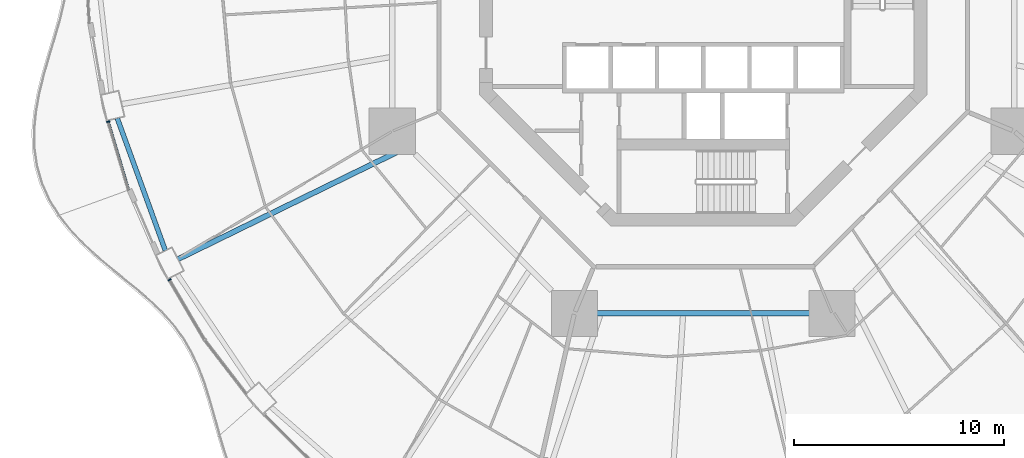
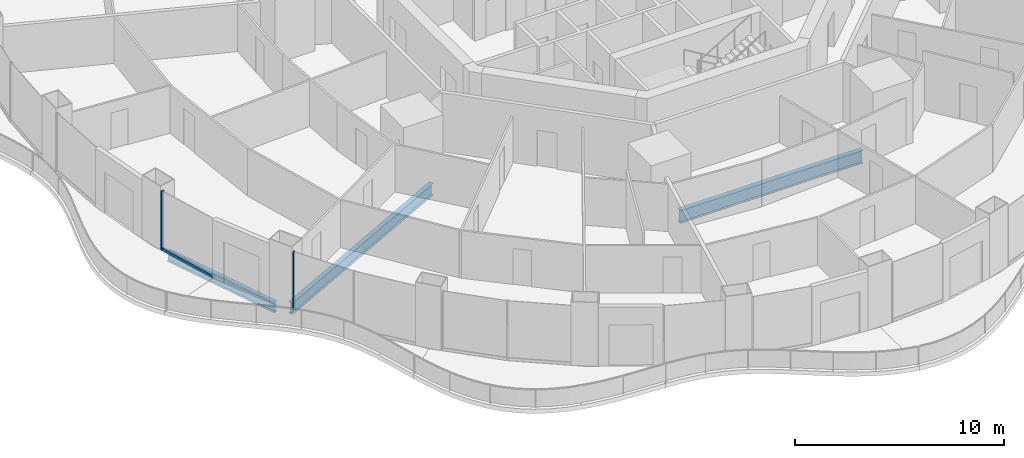
# One storey, part 3 of 24: 3 beams, 3 members, 2 elements without a shape of their own.
"""IFC4 building model written with IfcOpenShell, lengths in metres."""

from ifc_helpers import new_model, si_unit, direction, frame, origin, origin_2d, place, context, subcontext, project, spatial, rectangle, i_section, extrude, material, layer, layer_set, material_profile, profile_set, type_object, element, aggregate, save


model = new_model("IFC4")

# Units and contexts
model_context = context("Model", 3, precision=1e-05, world=origin(), true_north=direction((0.0, 1.0)))
body_context = subcontext(model_context, "Body", "Model", "MODEL_VIEW")
ifc_project = project(units=[si_unit("LENGTHUNIT", "METRE"), si_unit("AREAUNIT", "SQUARE_METRE"), si_unit("VOLUMEUNIT", "CUBIC_METRE"), si_unit("PLANEANGLEUNIT", "RADIAN"), si_unit("MASSUNIT", "GRAM", prefix="KILO")], contexts=[model_context])

# Site, building, storey
site_placement = place(None, origin())
site = spatial("IfcSite", under=ifc_project, at=site_placement, CompositionType="ELEMENT")
building_placement = place(site_placement, origin())
building = spatial("IfcBuilding", under=site, at=building_placement, Name="Nagisa Residences", CompositionType="ELEMENT")
storey_placement = place(building_placement, frame((0.0, 0.0, 102.89990234375)))
storey = spatial("IfcBuildingStorey", under=building, at=storey_placement, Name="L25", CompositionType="ELEMENT", Elevation=102.89990234375)

# Curtain wall, member
ifc_material_1 = material(Name="Concrete-coloured aluminium curtain wall system", Category="concrete")
ifc_layer = layer(ifc_material_1, 0.159912109375)
ifc_layer_set = layer_set([ifc_layer], Name="CW1 CURTAIN WALL")
curtain_wall_type = type_object("IfcCurtainWallType", Name="CW1 CURTAIN WALL", PredefinedType="NOTDEFINED", material=ifc_layer_set)
curtain_wall_1_placement = place(storey_placement, origin())
curtain_wall_1 = element("IfcCurtainWall", 1, at=curtain_wall_1_placement, inside=storey, type_object=curtain_wall_type, Name="cw:CW1:L25:26", PredefinedType="NOTDEFINED")
ifc_material_2 = material(Name="Concrete-coloured aluminium", Category="concrete")
ifc_material_profile_1 = material_profile(ifc_material_2, rectangle(XDim=0.159912109375, YDim=0.06005859375, at=origin_2d()), Name="CW1 MULLION 160x60")
ifc_profile_set_1 = profile_set([ifc_material_profile_1], Name="Concrete-coloured aluminium")
member_type_1 = type_object("IfcMemberType", Name="CW1 MULLION 160x60", PredefinedType="MULLION", material=ifc_profile_set_1)
member_1_placement = place(storey_placement, frame((-28.2802734375, -5.667724609375, 0.0), z_axis=(0.0, 0.0, 1.0), x_axis=(0.958271310082, 0.285860274038, 0.0)))
member_1 = element("IfcMember", 2, at=member_1_placement, type_object=member_type_1, Name="CW1 mullion", PredefinedType="MULLION", context=body_context, shape_type="SweptSolid", body=[
    extrude(rectangle(XDim=0.159912109375, YDim=0.06005859375, at=origin_2d()), origin(), (0.0, 0.0, 1.0), 3.440185546875),
])

curtain_wall_2_placement = place(storey_placement, origin())
curtain_wall_2 = element("IfcCurtainWall", 3, at=curtain_wall_2_placement, inside=storey, type_object=curtain_wall_type, Name="cw:CW1:L25:28", PredefinedType="NOTDEFINED")
member_2_placement = place(storey_placement, frame((-25.371337890625, -13.185791015625, 0.0), z_axis=(0.0, 0.0, 1.0), x_axis=(0.862328898214, 0.506348567002, 0.0)))
member_2 = element("IfcMember", 4, at=member_2_placement, type_object=member_type_1, Name="CW1 mullion", PredefinedType="MULLION", context=body_context, shape_type="SweptSolid", body=[
    extrude(rectangle(XDim=0.159912109375, YDim=0.06005859375, at=origin_2d()), origin(), (0.0, 0.0, 1.0), 3.440185546875),
])
aggregate(curtain_wall_2, [member_2])

# Member
ifc_material_3 = material(Name="Concrete-coloured aluminium", Category="concrete")
ifc_material_profile_2 = material_profile(ifc_material_3, rectangle(XDim=0.1201171875, YDim=0.14990234375, at=origin_2d()), Name="CW1 TRANSOM 120x150")
ifc_profile_set_2 = profile_set([ifc_material_profile_2], Name="Concrete-coloured aluminium")
member_type_2 = type_object("IfcMemberType", Name="CW1 TRANSOM 120x150", PredefinedType="USERDEFINED", material=ifc_profile_set_2)
member_3_placement = place(storey_placement, frame((-28.288818359375, -5.638916015625, 0.0751953125), z_axis=(0.285816610469, -0.958284334203, 0.0), x_axis=(0.958284334203, 0.285816610469, 0.0)))
member_3 = element("IfcMember", 5, at=member_3_placement, type_object=member_type_2, Name="CW1 transom", ObjectType="TRANSOM", PredefinedType="USERDEFINED", context=body_context, shape_type="SweptSolid", body=[
    extrude(rectangle(XDim=0.1201171875, YDim=0.14990234375, at=origin_2d()), origin(), (0.0, 0.0, 1.0), 3.423583984375),
])

aggregate(curtain_wall_1, [member_1, member_3])

# Beams
ifc_material_4 = material(Name="Steel ASTM A572 Gr 50", Category="steel")
ifc_material_profile_3 = material_profile(ifc_material_4, i_section(OverallWidth=0.264892578125, OverallDepth=0.7529296875, WebThickness=0.01318359375, FlangeThickness=0.01708984375, at=origin_2d()), Name="W760x147")
ifc_profile_set_3 = profile_set([ifc_material_profile_3], Name="Steel ASTM A572 Gr 50")
beam_type_1 = type_object("IfcBeamType", Name="Inner ring beam W760x147", PredefinedType="BEAM", material=ifc_profile_set_3)
beam_1_placement = place(storey_placement, frame((-5.04296875, -14.781982421875, -0.636474609375), z_axis=(1.0, 0.0, 0.0), x_axis=(0.0, 1.0, 0.0)))
element("IfcBeam", 6, at=beam_1_placement, inside=storey, type_object=beam_type_1, Name="beam:L25:ib6", PredefinedType="BEAM", context=body_context, shape_type="SweptSolid", body=[
    extrude(i_section(OverallWidth=0.264892578125, OverallDepth=0.7529296875, WebThickness=0.01318359375, FlangeThickness=0.01708984375, at=origin_2d()), origin(), (0.0, 0.0, 1.0), 10.0859375),
])
ifc_material_5 = material(Name="Steel ASTM A572 Gr 50", Category="steel")
ifc_material_profile_4 = material_profile(ifc_material_5, i_section(OverallWidth=0.22802734375, OverallDepth=0.60302734375, WebThickness=0.010498046875, FlangeThickness=0.014892578125, at=origin_2d()), Name="W610x101")
ifc_profile_set_4 = profile_set([ifc_material_profile_4], Name="Steel ASTM A572 Gr 50")
beam_type_2 = type_object("IfcBeamType", Name="Perimeter ring beam W610x101", PredefinedType="BEAM", material=ifc_profile_set_4)
beam_2_placement = place(storey_placement, frame((-27.851806640625, -5.505859375, -0.5615234375), z_axis=(0.341365002286, -0.939930814057, 0.0), x_axis=(0.939930814057, 0.341365002286, 0.0)))
element("IfcBeam", 7, at=beam_2_placement, inside=storey, type_object=beam_type_2, Name="beam:L25:pb14", PredefinedType="BEAM", context=body_context, shape_type="SweptSolid", body=[
    extrude(i_section(OverallWidth=0.22802734375, OverallDepth=0.60302734375, WebThickness=0.010498046875, FlangeThickness=0.014892578125, at=origin_2d()), origin(), (0.0, 0.0, 1.0), 6.689208984375),
])
ifc_material_6 = material(Name="Steel ASTM A572 Gr 50", Category="steel")
ifc_material_profile_5 = material_profile(ifc_material_6, i_section(OverallWidth=0.2529296875, OverallDepth=0.677978515625, WebThickness=0.01171875, FlangeThickness=0.016357421875, at=origin_2d()), Name="W690x125")
ifc_profile_set_5 = profile_set([ifc_material_profile_5], Name="Steel ASTM A572 Gr 50")
beam_type_3 = type_object("IfcBeamType", Name="Radial beam W690x125", PredefinedType="BEAM", material=ifc_profile_set_5)
beam_3_placement = place(storey_placement, frame((-24.965087890625, -12.200927734375, -0.598876953125), z_axis=(0.898446773802, 0.439082446296, 0.0), x_axis=(-0.439082446296, 0.898446773802, 0.0)))
element("IfcBeam", 8, at=beam_3_placement, inside=storey, type_object=beam_type_3, Name="beam:L25:rb15", PredefinedType="BEAM", context=body_context, shape_type="SweptSolid", body=[
    extrude(i_section(OverallWidth=0.2529296875, OverallDepth=0.677978515625, WebThickness=0.01171875, FlangeThickness=0.016357421875, at=origin_2d()), origin(), (0.0, 0.0, 1.0), 12.037353515625),
])

save(model, "model.ifc")
